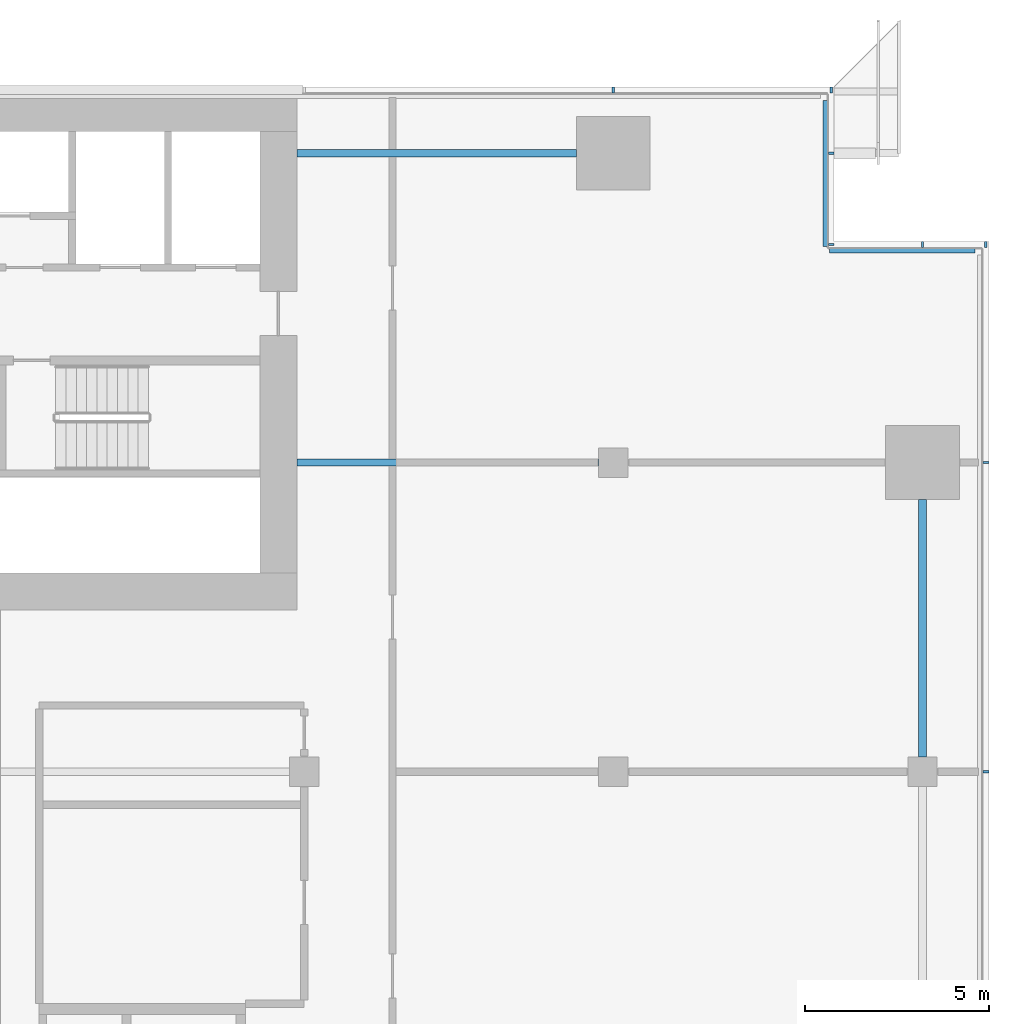
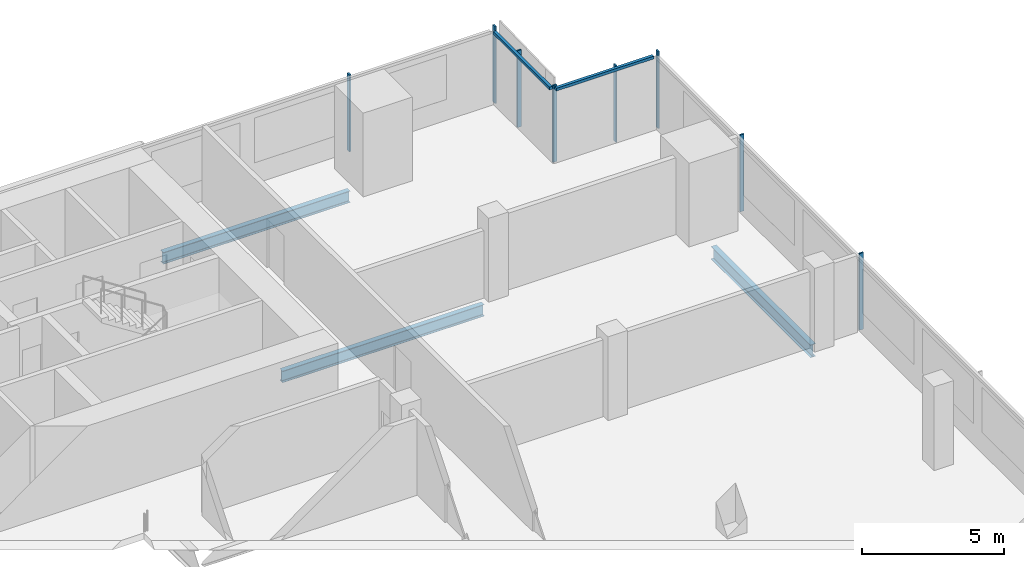
# One storey, part 14 of 26: 10 members, 3 beams, 4 elements without a shape of their own.
"""IFC4 building model written with IfcOpenShell, lengths in metres."""

from ifc_helpers import new_model, si_unit, direction, frame, origin, origin_2d, place, context, subcontext, project, spatial, rectangle, i_section, extrude, material, material_profile, profile_set, type_object, element, aggregate, save


model = new_model("IFC4")

# Units and contexts
model_context = context("Model", 3, precision=1e-05, world=origin(), true_north=direction((0.0, 1.0)))
body_context = subcontext(model_context, "Body", "Model", "MODEL_VIEW")
ifc_project = project(units=[si_unit("LENGTHUNIT", "METRE"), si_unit("AREAUNIT", "SQUARE_METRE"), si_unit("VOLUMEUNIT", "CUBIC_METRE"), si_unit("PLANEANGLEUNIT", "RADIAN"), si_unit("MASSUNIT", "GRAM", prefix="KILO")], contexts=[model_context])

# Site, building, storey
site_placement = place(None, origin())
site = spatial("IfcSite", under=ifc_project, at=site_placement, CompositionType="ELEMENT")
building_placement = place(site_placement, origin())
building = spatial("IfcBuilding", under=site, at=building_placement, Name="Saffron Gate Tower", CompositionType="ELEMENT")
storey_placement = place(building_placement, frame((0.0, 0.0, 138.449951171875)))
storey = spatial("IfcBuildingStorey", under=building, at=storey_placement, Name="L33", CompositionType="ELEMENT", Elevation=138.449951171875)

# Beams
ifc_material_1 = material(Name="Structural steel S355", Category="steel")
ifc_material_profile_1 = material_profile(ifc_material_1, i_section(OverallWidth=0.199951171875, OverallDepth=0.5, WebThickness=0.01025390625, FlangeThickness=0.01611328125, FilletRadius=0.02099609375, at=origin_2d()))
ifc_profile_set_1 = profile_set([ifc_material_profile_1], Name="Structural steel S355")
beam_type_1 = type_object("IfcBeamType", Name="B10 IPE 500", PredefinedType="BEAM", material=ifc_profile_set_1)
beam_1_placement = place(storey_placement, frame((116.60009765625, 65.39990234375, -0.530029296875), z_axis=(-1.0, 0.0, 0.0), x_axis=(0.0, -1.0, 0.0)))
element("IfcBeam", 1, at=beam_1_placement, inside=storey, type_object=beam_type_1, Name="B10 CORE TIE BEAM", PredefinedType="BEAM", context=body_context, shape_type="SweptSolid", body=[
    extrude(i_section(OverallWidth=0.199951171875, OverallDepth=0.5, WebThickness=0.01025390625, FlangeThickness=0.01611328125, FilletRadius=0.02099609375, at=origin_2d()), origin(), (0.0, 0.0, 1.0), 8.2001953125),
])
beam_2_placement = place(storey_placement, frame((116.0, 73.800048828125, -0.530029296875), z_axis=(-1.0, 0.0, 0.0), x_axis=(0.0, -1.0, 0.0)))
element("IfcBeam", 2, at=beam_2_placement, inside=storey, type_object=beam_type_1, Name="B10 CORE TIE BEAM", PredefinedType="BEAM", context=body_context, shape_type="SweptSolid", body=[
    extrude(i_section(OverallWidth=0.199951171875, OverallDepth=0.5, WebThickness=0.01025390625, FlangeThickness=0.01611328125, FilletRadius=0.02099609375, at=origin_2d()), origin(), (0.0, 0.0, 1.0), 7.60009765625),
])
ifc_material_profile_2 = material_profile(ifc_material_1, i_section(OverallWidth=0.2099609375, OverallDepth=0.550048828125, WebThickness=0.010986328125, FlangeThickness=0.01708984375, FilletRadius=0.02392578125, at=origin_2d()))
ifc_profile_set_2 = profile_set([ifc_material_profile_2], Name="Structural steel S355")
beam_type_2 = type_object("IfcBeamType", Name="B13 IPE 550", PredefinedType="SPANDREL", material=ifc_profile_set_2)
beam_3_placement = place(storey_placement, frame((125.39990234375, 57.39990234375, -0.554931640625), z_axis=(0.0, 1.0, 0.0), x_axis=(-1.0, 0.0, 0.0)))
element("IfcBeam", 3, at=beam_3_placement, inside=storey, type_object=beam_type_2, Name="B13 SPANDREL BEAM", PredefinedType="SPANDREL", context=body_context, shape_type="SweptSolid", body=[
    extrude(i_section(OverallWidth=0.2099609375, OverallDepth=0.550048828125, WebThickness=0.010986328125, FlangeThickness=0.01708984375, FilletRadius=0.02392578125, at=origin_2d()), origin(), (0.0, 0.0, 1.0), 7.0),
])

# Curtain wall, members
ifc_material_2 = material(Name="Aluminium, bronze anodised", Category="aluminium")
curtain_wall_type_1 = type_object("IfcCurtainWallType", Name="CWS2 curtain wall side facades", PredefinedType="NOTDEFINED", material=ifc_material_2)
curtain_wall_1_placement = place(storey_placement, origin())
curtain_wall_1 = element("IfcCurtainWall", 4, at=curtain_wall_1_placement, inside=storey, type_object=curtain_wall_type_1, Name="CWS2 run 4", PredefinedType="NOTDEFINED")
ifc_material_profile_3 = material_profile(ifc_material_2, rectangle(XDim=0.159912109375, YDim=0.06005859375, at=origin_2d()))
ifc_profile_set_3 = profile_set([ifc_material_profile_3], Name="Aluminium, bronze anodised")
member_type_1 = type_object("IfcMemberType", Name="CWS2 mullion 60x160", PredefinedType="MULLION", material=ifc_profile_set_3)
member_1_placement = place(storey_placement, frame((127.1201171875, 57.0, 0.0), z_axis=(0.0, 0.0, 1.0), x_axis=(-1.0, 0.0, 0.0)))
member_1 = element("IfcMember", 5, at=member_1_placement, type_object=member_type_1, Name="CWS2 mullion 4", PredefinedType="MULLION", context=body_context, shape_type="SweptSolid", body=[
    extrude(rectangle(XDim=0.159912109375, YDim=0.06005859375, at=origin_2d()), origin(), (0.0, 0.0, 1.0), 3.300048828125),
])
member_2_placement = place(storey_placement, frame((127.1201171875, 65.39990234375, 0.0), z_axis=(0.0, 0.0, 1.0), x_axis=(-1.0, 0.0, 0.0)))
member_2 = element("IfcMember", 6, at=member_2_placement, type_object=member_type_1, Name="CWS2 mullion 5", PredefinedType="MULLION", context=body_context, shape_type="SweptSolid", body=[
    extrude(rectangle(XDim=0.159912109375, YDim=0.06005859375, at=origin_2d()), origin(), (0.0, 0.0, 1.0), 3.300048828125),
])
aggregate(curtain_wall_1, [member_1, member_2])

curtain_wall_type_2 = type_object("IfcCurtainWallType", Name="CWS3 curtain wall rear facade", PredefinedType="NOTDEFINED", material=ifc_material_2)
curtain_wall_2_placement = place(storey_placement, origin())
curtain_wall_2 = element("IfcCurtainWall", 7, at=curtain_wall_2_placement, inside=storey, type_object=curtain_wall_type_2, Name="CWS3 run 7", PredefinedType="NOTDEFINED")
ifc_material_profile_4 = material_profile(ifc_material_2, rectangle(XDim=0.159912109375, YDim=0.070068359375, at=origin_2d()))
ifc_profile_set_4 = profile_set([ifc_material_profile_4], Name="Aluminium, bronze anodised")
member_type_2 = type_object("IfcMemberType", Name="CWS3 mullion 70x160", PredefinedType="MULLION", material=ifc_profile_set_4)
member_3_placement = place(storey_placement, frame((122.919921875, 75.52001953125, 0.0), z_axis=(0.0, 0.0, 1.0), x_axis=(0.0, -1.0, 0.0)))
member_3 = element("IfcMember", 8, at=member_3_placement, type_object=member_type_2, Name="CWS3 mullion 1", PredefinedType="MULLION", context=body_context, shape_type="SweptSolid", body=[
    extrude(rectangle(XDim=0.159912109375, YDim=0.070068359375, at=origin_2d()), origin(), (0.0, 0.0, 1.0), 3.300048828125),
])
member_4_placement = place(storey_placement, frame((117.0, 75.52001953125, 0.0), z_axis=(0.0, 0.0, 1.0), x_axis=(0.0, -1.0, 0.0)))
member_4 = element("IfcMember", 9, at=member_4_placement, type_object=member_type_2, Name="CWS3 mullion 2", PredefinedType="MULLION", context=body_context, shape_type="SweptSolid", body=[
    extrude(rectangle(XDim=0.159912109375, YDim=0.070068359375, at=origin_2d()), origin(), (0.0, 0.0, 1.0), 3.300048828125),
])
aggregate(curtain_wall_2, [member_3, member_4])

# Curtain wall, member
curtain_wall_type_3 = type_object("IfcCurtainWallType", Name="CWS4 curtain wall corner returns", PredefinedType="NOTDEFINED", material=ifc_material_2)
curtain_wall_3_placement = place(storey_placement, origin())
curtain_wall_3 = element("IfcCurtainWall", 10, at=curtain_wall_3_placement, inside=storey, type_object=curtain_wall_type_3, Name="CWS4 run 5", PredefinedType="NOTDEFINED")
ifc_material_profile_5 = material_profile(ifc_material_2, rectangle(XDim=0.1201171875, YDim=0.1201171875, at=origin_2d()))
ifc_profile_set_5 = profile_set([ifc_material_profile_5], Name="Aluminium, bronze anodised")
member_type_3 = type_object("IfcMemberType", Name="CWS4 head transom", PredefinedType="USERDEFINED", material=ifc_profile_set_5)
member_5_placement = place(storey_placement, frame((126.83203125, 71.152099609375, 3.239990234375), z_axis=(-1.0, 0.0, 0.0), x_axis=(0.0, -1.0, 0.0)))
member_5 = element("IfcMember", 11, at=member_5_placement, type_object=member_type_3, Name="CWS4 head transom", ObjectType="TRANSOM", PredefinedType="USERDEFINED", context=body_context, shape_type="SweptSolid", body=[
    extrude(rectangle(XDim=0.1201171875, YDim=0.1201171875, at=origin_2d()), origin(), (0.0, 0.0, 1.0), 3.9599609375),
])

curtain_wall_4_placement = place(storey_placement, origin())
curtain_wall_4 = element("IfcCurtainWall", 12, at=curtain_wall_4_placement, inside=storey, type_object=curtain_wall_type_3, Name="CWS4 run 6", PredefinedType="NOTDEFINED")
member_6_placement = place(storey_placement, frame((122.751953125, 71.27197265625, 3.239990234375), z_axis=(0.0, 1.0, 0.0), x_axis=(-1.0, 0.0, 0.0)))
member_6 = element("IfcMember", 13, at=member_6_placement, type_object=member_type_3, Name="CWS4 head transom", ObjectType="TRANSOM", PredefinedType="USERDEFINED", context=body_context, shape_type="SweptSolid", body=[
    extrude(rectangle(XDim=0.1201171875, YDim=0.1201171875, at=origin_2d()), origin(), (0.0, 0.0, 1.0), 3.9599609375),
])

# Member
ifc_material_profile_6 = material_profile(ifc_material_2, rectangle(XDim=0.159912109375, YDim=0.06005859375, at=origin_2d()))
ifc_profile_set_6 = profile_set([ifc_material_profile_6], Name="Aluminium, bronze anodised")
member_type_4 = type_object("IfcMemberType", Name="CWS4 mullion 60x160", PredefinedType="MULLION", material=ifc_profile_set_6)
member_7_placement = place(storey_placement, frame((127.1201171875, 71.320068359375, 0.0), z_axis=(0.0, 0.0, 1.0), x_axis=(0.0, -1.0, 0.0)))
member_7 = element("IfcMember", 14, at=member_7_placement, type_object=member_type_4, Name="CWS4 mullion 1", PredefinedType="MULLION", context=body_context, shape_type="SweptSolid", body=[
    extrude(rectangle(XDim=0.159912109375, YDim=0.06005859375, at=origin_2d()), origin(), (0.0, 0.0, 1.0), 3.300048828125),
])

member_8_placement = place(storey_placement, frame((125.39990234375, 71.320068359375, 0.0), z_axis=(0.0, 0.0, 1.0), x_axis=(0.0, -1.0, 0.0)))
member_8 = element("IfcMember", 15, at=member_8_placement, type_object=member_type_4, Name="CWS4 mullion 2", PredefinedType="MULLION", context=body_context, shape_type="SweptSolid", body=[
    extrude(rectangle(XDim=0.159912109375, YDim=0.06005859375, at=origin_2d()), origin(), (0.0, 0.0, 1.0), 3.300048828125),
])

aggregate(curtain_wall_3, [member_7, member_8, member_5])

member_9_placement = place(storey_placement, frame((122.919921875, 71.320068359375, 0.0), z_axis=(0.0, 0.0, 1.0), x_axis=(-1.0, 0.0, 0.0)))
member_9 = element("IfcMember", 16, at=member_9_placement, type_object=member_type_4, Name="CWS4 mullion 1", PredefinedType="MULLION", context=body_context, shape_type="SweptSolid", body=[
    extrude(rectangle(XDim=0.159912109375, YDim=0.06005859375, at=origin_2d()), origin(), (0.0, 0.0, 1.0), 3.300048828125),
])

member_10_placement = place(storey_placement, frame((122.919921875, 73.800048828125, 0.0), z_axis=(0.0, 0.0, 1.0), x_axis=(-1.0, 0.0, 0.0)))
member_10 = element("IfcMember", 17, at=member_10_placement, type_object=member_type_4, Name="CWS4 mullion 2", PredefinedType="MULLION", context=body_context, shape_type="SweptSolid", body=[
    extrude(rectangle(XDim=0.159912109375, YDim=0.06005859375, at=origin_2d()), origin(), (0.0, 0.0, 1.0), 3.300048828125),
])

aggregate(curtain_wall_4, [member_9, member_10, member_6])

save(model, "model.ifc")
